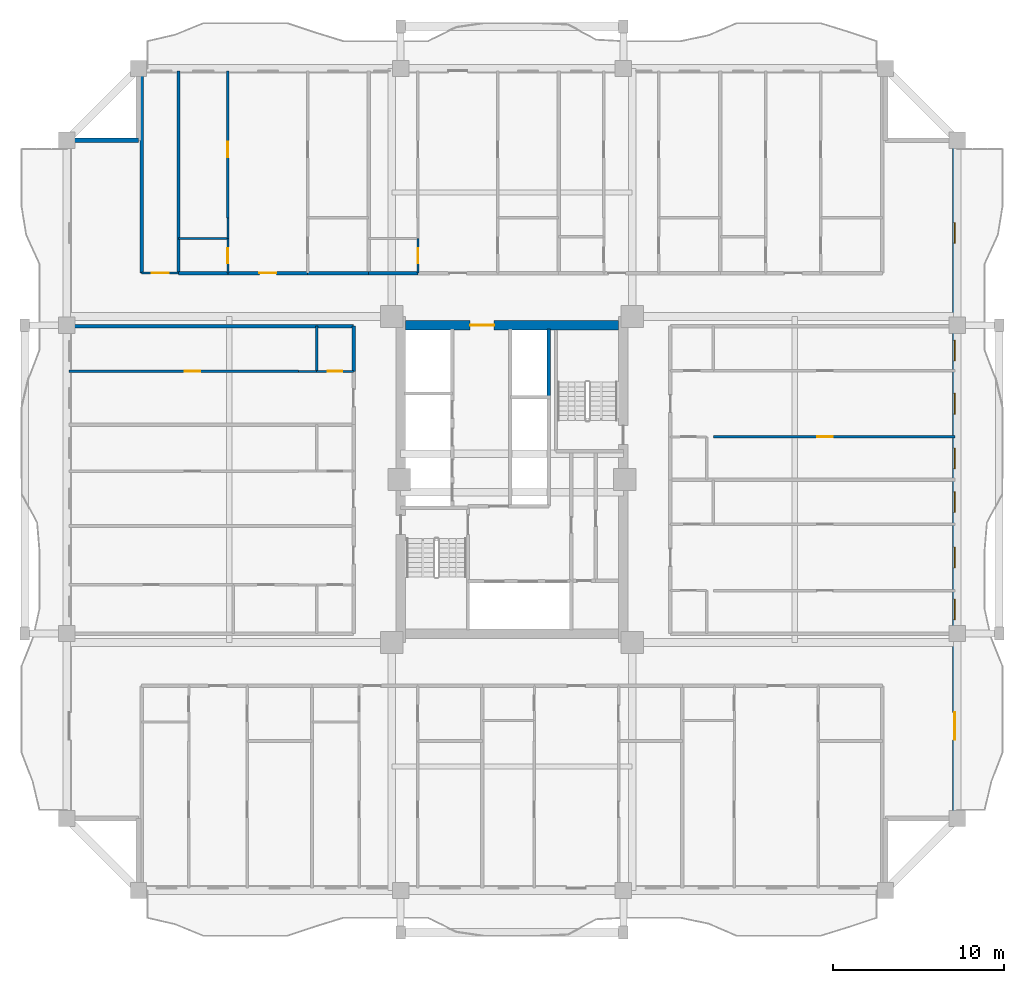
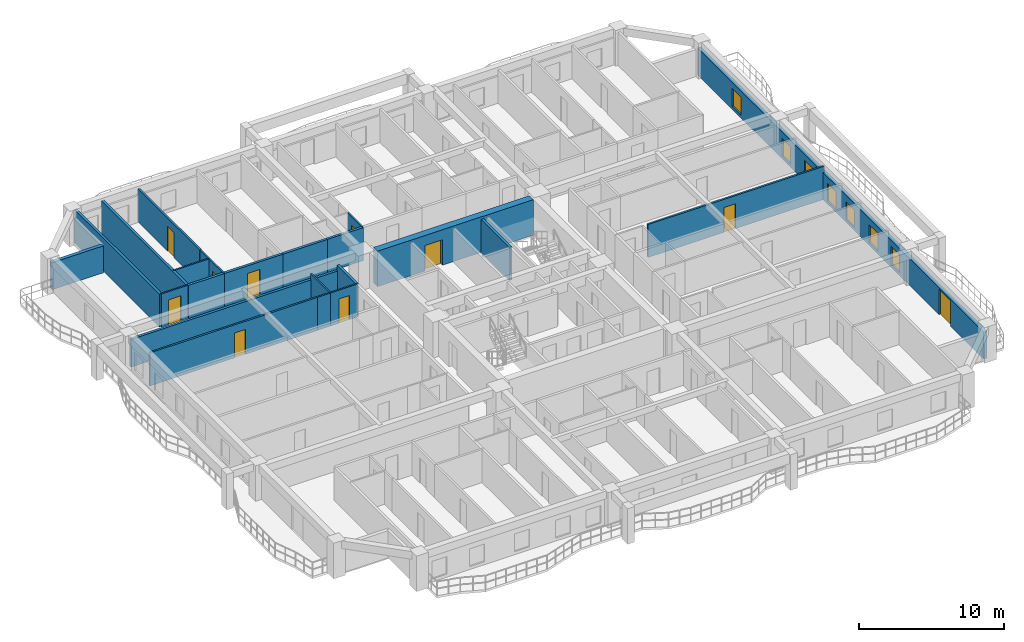
# One storey, part 6 of 14: 23 walls, 10 doors, 7 windows, 17 openings.
"""IFC4 building model written with IfcOpenShell, lengths in metres."""

from ifc_helpers import new_model, si_unit, direction, frame, frame_2d, origin, place, context, subcontext, project, spatial, rectangle, extrude, source, transform, mapped, material, layer, layer_set, type_object, element, fill, save


model = new_model("IFC4")

# Units and contexts
model_context = context("Model", 3, precision=1e-05, world=origin(), true_north=direction((0.0, 1.0)))
body_context = subcontext(model_context, "Body", "Model", "MODEL_VIEW")
ifc_project = project(units=[si_unit("LENGTHUNIT", "METRE"), si_unit("AREAUNIT", "SQUARE_METRE"), si_unit("VOLUMEUNIT", "CUBIC_METRE"), si_unit("PLANEANGLEUNIT", "RADIAN"), si_unit("MASSUNIT", "GRAM", prefix="KILO")], contexts=[model_context])

# Site, building, storey
site_placement = place(None, origin())
site = spatial("IfcSite", under=ifc_project, at=site_placement, CompositionType="ELEMENT")
building_placement = place(site_placement, origin())
building = spatial("IfcBuilding", under=site, at=building_placement, Name="Saelheon Loggia Tower", CompositionType="ELEMENT")
storey_placement = place(building_placement, frame((0.0, 0.0, 86.85009765625)))
storey = spatial("IfcBuildingStorey", under=building, at=storey_placement, Name="L27", CompositionType="ELEMENT", Elevation=86.85009765625)

# Wall, opening, door
ifc_material_1 = material(Name="Concrete C50/60", Category="concrete")
ifc_layer_1 = layer(ifc_material_1, 0.550048828125)
ifc_layer_set_1 = layer_set([ifc_layer_1], Name="Concrete C50/60")
wall_type_1 = type_object("IfcWallType", Name="Wall_CoreShear_550", PredefinedType="SHEAR", material=ifc_layer_set_1)
wall_1_placement = place(storey_placement, frame((31.77490234375, 36.0, 0.0), z_axis=(0.0, 0.0, 1.0), x_axis=(1.0, 0.0, 0.0)))
wall_1 = element("IfcWall", 1, at=wall_1_placement, inside=storey, type_object=wall_type_1, Name="L27 Core Shear Wall North", PredefinedType="SHEAR", context=body_context, shape_type="SweptSolid", body=[
    extrude(rectangle(XDim=12.4501953125, YDim=0.550048828125, at=frame_2d((6.22509765625, 0.0))), origin(), (0.0, 0.0, 1.0), 3.0),
])
opening_1_placement = place(wall_1_placement, frame((5.1748046875, 0.0, 0.0), z_axis=(0.0, 0.0, 1.0), x_axis=(-1.0, 0.0, 0.0)))
opening_1 = element("IfcOpeningElement", 2, at=opening_1_placement, cuts=wall_1, Name="Opening D-FD2L", PredefinedType="OPENING", context=body_context, shape_type="SweptSolid", body=[
    extrude(rectangle(XDim=1.39990234375, YDim=2.14990234375, at=frame_2d((0.699951171875, 1.074951171875))), frame((0.0, 0.287109375, 0.0), z_axis=(0.0, -1.0, 0.0), x_axis=(1.0, 0.0, 0.0)), (0.0, 0.0, 1.0), 0.573974609375),
])
ifc_material_2 = material(Name="Galvanised Steel Glazed Lobby Fire Door", Category="steel")
door_type_1 = type_object("IfcDoorType", Name="Door_Fire_FD60_1400", OperationType="NOTDEFINED", PredefinedType="DOOR", material=ifc_material_2)
shared_shape_1 = source(origin(), body_context, "Body", "SweptSolid", [
    extrude(rectangle(XDim=1.39990234375, YDim=2.14990234375, at=frame_2d((0.699951171875, 1.074951171875))), frame((0.0, 0.02490234375, 0.0), z_axis=(0.0, -1.0, 0.0), x_axis=(1.0, 0.0, 0.0)), (0.0, 0.0, 1.0), 0.050048828125),
])
door_1_placement = place(opening_1_placement, origin())
door_1 = element("IfcDoor", 3, at=door_1_placement, inside=storey, type_object=door_type_1, Name="L27 Passenger Lift Lobby Main Door", OperationType="SINGLE_SWING_RIGHT", OverallHeight=2.14990234375, OverallWidth=1.39990234375, PredefinedType="DOOR", context=body_context, shape_type="MappedRepresentation", body=[
    mapped(shared_shape_1, transform((0.0, 0.0, 0.0), scale=1.0)),
])
fill(opening_1, door_1)

# Wall, openings, windows, door
ifc_material_3 = material(Name="Architectural Precast Concrete C40/50", Category="concrete")
ifc_layer_2 = layer(ifc_material_3, 0.280029296875)
ifc_layer_set_2 = layer_set([ifc_layer_2], Name="Architectural Precast Concrete C40/50")
wall_type_2 = type_object("IfcWallType", Name="Wall_Ext_Loggia_280", PredefinedType="SOLIDWALL", material=ifc_layer_set_2)
wall_2_placement = place(storey_placement, frame((63.860107421875, 7.199951171875, 0.0), z_axis=(0.0, 0.0, 1.0), x_axis=(0.0, 1.0, 0.0)))
wall_2 = element("IfcWall", 4, at=wall_2_placement, inside=storey, type_object=wall_type_2, Name="L27 East Loggia Inner Wall", PredefinedType="SOLIDWALL", context=body_context, shape_type="SweptSolid", body=[
    extrude(rectangle(XDim=39.60009765625, YDim=0.280029296875, at=frame_2d((19.800048828125, 0.0))), origin(), (0.0, 0.0, 1.0), 2.27978515625),
])
opening_2_placement = place(wall_2_placement, frame((6.2001953125, 0.0, 0.0), z_axis=(0.0, 0.0, 1.0), x_axis=(-1.0, 0.0, 0.0)))
opening_2 = element("IfcOpeningElement", 5, at=opening_2_placement, cuts=wall_2, Name="Opening DLG-1", PredefinedType="OPENING", context=body_context, shape_type="SweptSolid", body=[
    extrude(rectangle(XDim=1.60009765625, YDim=2.14990234375, at=frame_2d((0.800048828125, 1.074951171875))), frame((0.0, 0.152099609375, 0.0), z_axis=(0.0, -1.0, 0.0), x_axis=(1.0, 0.0, 0.0)), (0.0, 0.0, 1.0), 0.303955078125),
])
opening_3_placement = place(wall_2_placement, frame((11.614013671875, 0.0, 0.25)))
opening_3 = element("IfcOpeningElement", 6, at=opening_3_placement, cuts=wall_2, Name="Opening WN-03", PredefinedType="OPENING", context=body_context, shape_type="SweptSolid", body=[
    extrude(rectangle(XDim=1.199951171875, YDim=1.5, at=frame_2d((0.60009765625, 0.75))), frame((0.0, 0.152099609375, 0.0), z_axis=(0.0, -1.0, 0.0), x_axis=(1.0, 0.0, 0.0)), (0.0, 0.0, 1.0), 0.303955078125),
])
opening_4_placement = place(wall_2_placement, frame((14.64404296875, 0.0, 0.25)))
opening_4 = element("IfcOpeningElement", 7, at=opening_4_placement, cuts=wall_2, Name="Opening WN-03", PredefinedType="OPENING", context=body_context, shape_type="SweptSolid", body=[
    extrude(rectangle(XDim=1.199951171875, YDim=1.5, at=frame_2d((0.60009765625, 0.75))), frame((0.0, 0.152099609375, 0.0), z_axis=(0.0, -1.0, 0.0), x_axis=(1.0, 0.0, 0.0)), (0.0, 0.0, 1.0), 0.303955078125),
])
opening_5_placement = place(wall_2_placement, frame((17.875, 0.0, 0.25)))
opening_5 = element("IfcOpeningElement", 8, at=opening_5_placement, cuts=wall_2, Name="Opening WN-03", PredefinedType="OPENING", context=body_context, shape_type="SweptSolid", body=[
    extrude(rectangle(XDim=1.199951171875, YDim=1.5, at=frame_2d((0.60009765625, 0.75))), frame((0.0, 0.152099609375, 0.0), z_axis=(0.0, -1.0, 0.0), x_axis=(1.0, 0.0, 0.0)), (0.0, 0.0, 1.0), 0.303955078125),
])
opening_6_placement = place(wall_2_placement, frame((20.431396484375, 0.0, 0.25)))
opening_6 = element("IfcOpeningElement", 9, at=opening_6_placement, cuts=wall_2, Name="Opening WN-03", PredefinedType="OPENING", context=body_context, shape_type="SweptSolid", body=[
    extrude(rectangle(XDim=1.199951171875, YDim=1.5, at=frame_2d((0.60009765625, 0.75))), frame((0.0, 0.152099609375, 0.0), z_axis=(0.0, -1.0, 0.0), x_axis=(1.0, 0.0, 0.0)), (0.0, 0.0, 1.0), 0.303955078125),
])
opening_7_placement = place(wall_2_placement, frame((23.618896484375, 0.0, 0.25)))
opening_7 = element("IfcOpeningElement", 10, at=opening_7_placement, cuts=wall_2, Name="Opening WN-03", PredefinedType="OPENING", context=body_context, shape_type="SweptSolid", body=[
    extrude(rectangle(XDim=1.199951171875, YDim=1.5, at=frame_2d((0.60009765625, 0.75))), frame((0.0, 0.152099609375, 0.0), z_axis=(0.0, -1.0, 0.0), x_axis=(1.0, 0.0, 0.0)), (0.0, 0.0, 1.0), 0.303955078125),
])
opening_8_placement = place(wall_2_placement, frame((26.717529296875, 0.0, 0.25)))
opening_8 = element("IfcOpeningElement", 11, at=opening_8_placement, cuts=wall_2, Name="Opening WN-03", PredefinedType="OPENING", context=body_context, shape_type="SweptSolid", body=[
    extrude(rectangle(XDim=1.199951171875, YDim=1.5, at=frame_2d((0.60009765625, 0.75))), frame((0.0, 0.152099609375, 0.0), z_axis=(0.0, -1.0, 0.0), x_axis=(1.0, 0.0, 0.0)), (0.0, 0.0, 1.0), 0.303955078125),
])
opening_9_placement = place(wall_2_placement, frame((33.60009765625, 0.0, 0.25)))
opening_9 = element("IfcOpeningElement", 12, at=opening_9_placement, cuts=wall_2, Name="Opening WN-03", PredefinedType="OPENING", context=body_context, shape_type="SweptSolid", body=[
    extrude(rectangle(XDim=1.199951171875, YDim=1.5, at=frame_2d((0.60009765625, 0.75))), frame((0.0, 0.152099609375, 0.0), z_axis=(0.0, -1.0, 0.0), x_axis=(1.0, 0.0, 0.0)), (0.0, 0.0, 1.0), 0.303955078125),
])
ifc_material_4 = material(Name="Thermal-Break Aluminium and Triple Low-E Glass", Category="aluminium")
window_type = type_object("IfcWindowType", Name="Win_Bedroom_1200x1500", PartitioningType="SINGLE_PANEL", PredefinedType="WINDOW", material=ifc_material_4)
shared_shape_2 = source(origin(), body_context, "Body", "SweptSolid", [
    extrude(rectangle(XDim=1.199951171875, YDim=1.5, at=frame_2d((0.60009765625, 0.75))), frame((0.0, 0.030029296875, 0.0), z_axis=(0.0, -1.0, 0.0), x_axis=(1.0, 0.0, 0.0)), (0.0, 0.0, 1.0), 0.06005859375),
])
window_1_placement = place(opening_3_placement, origin())
window_1 = element("IfcWindow", 13, at=window_1_placement, inside=storey, type_object=window_type, Name="L27 E Dwelling Window 2", OverallHeight=1.5, OverallWidth=1.199951171875, PartitioningType="SINGLE_PANEL", PredefinedType="WINDOW", context=body_context, shape_type="MappedRepresentation", body=[
    mapped(shared_shape_2, transform((0.0, 0.0, 0.0), scale=1.0)),
])
fill(opening_3, window_1)
window_2_placement = place(opening_4_placement, origin())
window_2 = element("IfcWindow", 14, at=window_2_placement, inside=storey, type_object=window_type, Name="L27 E Dwelling Window 3", OverallHeight=1.5, OverallWidth=1.199951171875, PartitioningType="SINGLE_PANEL", PredefinedType="WINDOW", context=body_context, shape_type="MappedRepresentation", body=[
    mapped(shared_shape_2, transform((0.0, 0.0, 0.0), scale=1.0)),
])
fill(opening_4, window_2)
window_3_placement = place(opening_5_placement, origin())
window_3 = element("IfcWindow", 15, at=window_3_placement, inside=storey, type_object=window_type, Name="L27 E Dwelling Window 4", OverallHeight=1.5, OverallWidth=1.199951171875, PartitioningType="SINGLE_PANEL", PredefinedType="WINDOW", context=body_context, shape_type="MappedRepresentation", body=[
    mapped(shared_shape_2, transform((0.0, 0.0, 0.0), scale=1.0)),
])
fill(opening_5, window_3)
window_4_placement = place(opening_6_placement, origin())
window_4 = element("IfcWindow", 16, at=window_4_placement, inside=storey, type_object=window_type, Name="L27 E Dwelling Window 5", OverallHeight=1.5, OverallWidth=1.199951171875, PartitioningType="SINGLE_PANEL", PredefinedType="WINDOW", context=body_context, shape_type="MappedRepresentation", body=[
    mapped(shared_shape_2, transform((0.0, 0.0, 0.0), scale=1.0)),
])
fill(opening_6, window_4)
window_5_placement = place(opening_7_placement, origin())
window_5 = element("IfcWindow", 17, at=window_5_placement, inside=storey, type_object=window_type, Name="L27 E Dwelling Window 6", OverallHeight=1.5, OverallWidth=1.199951171875, PartitioningType="SINGLE_PANEL", PredefinedType="WINDOW", context=body_context, shape_type="MappedRepresentation", body=[
    mapped(shared_shape_2, transform((0.0, 0.0, 0.0), scale=1.0)),
])
fill(opening_7, window_5)
window_6_placement = place(opening_8_placement, origin())
window_6 = element("IfcWindow", 18, at=window_6_placement, inside=storey, type_object=window_type, Name="L27 E Dwelling Window 7", OverallHeight=1.5, OverallWidth=1.199951171875, PartitioningType="SINGLE_PANEL", PredefinedType="WINDOW", context=body_context, shape_type="MappedRepresentation", body=[
    mapped(shared_shape_2, transform((0.0, 0.0, 0.0), scale=1.0)),
])
fill(opening_8, window_6)
window_7_placement = place(opening_9_placement, origin())
window_7 = element("IfcWindow", 19, at=window_7_placement, inside=storey, type_object=window_type, Name="L27 E Dwelling Window 8", OverallHeight=1.5, OverallWidth=1.199951171875, PartitioningType="SINGLE_PANEL", PredefinedType="WINDOW", context=body_context, shape_type="MappedRepresentation", body=[
    mapped(shared_shape_2, transform((0.0, 0.0, 0.0), scale=1.0)),
])
fill(opening_9, window_7)
ifc_material_5 = material(Name="Thermal-Break Aluminium Sliding Glazed Door", Category="aluminium")
door_type_2 = type_object("IfcDoorType", Name="Door_LoggiaSlide_1600", OperationType="SLIDING_TO_LEFT", PredefinedType="DOOR", material=ifc_material_5)
shared_shape_3 = source(origin(), body_context, "Body", "SweptSolid", [
    extrude(rectangle(XDim=1.60009765625, YDim=2.14990234375, at=frame_2d((0.800048828125, 1.074951171875))), frame((0.0, 0.02490234375, 0.0), z_axis=(0.0, -1.0, 0.0), x_axis=(1.0, 0.0, 0.0)), (0.0, 0.0, 1.0), 0.050048828125),
])
door_2_placement = place(opening_2_placement, origin())
door_2 = element("IfcDoor", 20, at=door_2_placement, inside=storey, type_object=door_type_2, Name="L27 E Loggia Access Door", OperationType="SLIDING_TO_LEFT", OverallHeight=2.14990234375, OverallWidth=1.60009765625, PredefinedType="DOOR", context=body_context, shape_type="MappedRepresentation", body=[
    mapped(shared_shape_3, transform((0.0, 0.0, 0.0), scale=1.0)),
])
fill(opening_2, door_2)

# Wall
wall_3_placement = place(storey_placement, frame((12.080078125, 46.800048828125, 0.0), z_axis=(0.0, 0.0, 1.0), x_axis=(1.0, 0.0, 0.0)))
element("IfcWall", 21, at=wall_3_placement, inside=storey, type_object=wall_type_2, Name="L27 Corner Notch Precast Wall NW2", PredefinedType="SOLIDWALL", context=body_context, shape_type="SweptSolid", body=[
    extrude(rectangle(XDim=4.119873046875, YDim=0.280029296875, at=frame_2d((2.06005859375, 0.0))), origin(), (0.0, 0.0, 1.0), 2.27978515625),
])

# Wall, opening, door
ifc_material_6 = material(Name="Lightweight Autoclaved Aerated Concrete Block and Acoustic Gypsum", Category="concrete")
ifc_layer_3 = layer(ifc_material_6, 0.14990234375)
ifc_layer_set_3 = layer_set([ifc_layer_3], Name="Lightweight Autoclaved Aerated Concrete Block and Acoustic Gypsum")
wall_type_3 = type_object("IfcWallType", Name="Wall_Part_150", PredefinedType="PARTITIONING", material=ifc_layer_set_3)
wall_4_placement = place(storey_placement, frame((21.41455078125, 42.27001953125, 0.0), z_axis=(0.0, 0.0, 1.0), x_axis=(0.0, 1.0, 0.0)))
wall_4 = element("IfcWall", 22, at=wall_4_placement, inside=storey, type_object=wall_type_3, Name="L27 N Partition U12", PredefinedType="PARTITIONING", context=body_context, shape_type="SweptSolid", body=[
    extrude(rectangle(XDim=8.580078125, YDim=0.14990234375, at=frame_2d((4.2900390625, 0.0))), origin(), (0.0, 0.0, 1.0), 2.789794921875),
])
opening_10_placement = place(wall_4_placement, frame((3.5400390625, 0.0, 0.0)))
opening_10 = element("IfcOpeningElement", 23, at=opening_10_placement, cuts=wall_4, Name="Opening D-IN2", PredefinedType="OPENING", context=body_context, shape_type="SweptSolid", body=[
    extrude(rectangle(XDim=0.89990234375, YDim=2.10009765625, at=frame_2d((0.449951171875, 1.050048828125))), frame((0.0, 0.0869140625, 0.0), z_axis=(0.0, -1.0, 0.0), x_axis=(1.0, 0.0, 0.0)), (0.0, 0.0, 1.0), 0.173828125),
])
ifc_material_7 = material(Name="Engineered Oak Flush Door", Category="timber")
door_type_3 = type_object("IfcDoorType", Name="Door_Int_900", OperationType="NOTDEFINED", PredefinedType="DOOR", material=ifc_material_7)
shared_shape_4 = source(origin(), body_context, "Body", "SweptSolid", [
    extrude(rectangle(XDim=0.89990234375, YDim=2.10009765625, at=frame_2d((0.449951171875, 1.050048828125))), frame((0.0, 0.02490234375, 0.0), z_axis=(0.0, -1.0, 0.0), x_axis=(1.0, 0.0, 0.0)), (0.0, 0.0, 1.0), 0.050048828125),
])
door_3_placement = place(opening_10_placement, origin())
door_3 = element("IfcDoor", 24, at=door_3_placement, inside=storey, type_object=door_type_3, Name="Unit U05 Bedroom 2 Door", OperationType="SINGLE_SWING_RIGHT", OverallHeight=2.10009765625, OverallWidth=0.89990234375, PredefinedType="DOOR", context=body_context, shape_type="MappedRepresentation", body=[
    mapped(shared_shape_4, transform((0.0, 0.0, 0.0), scale=1.0)),
])
fill(opening_10, door_3)

wall_5_placement = place(storey_placement, frame((25.530029296875, 33.307861328125, 0.0), z_axis=(0.0, 0.0, 1.0), x_axis=(-1.0, 0.0, 0.0)))
wall_5 = element("IfcWall", 25, at=wall_5_placement, inside=storey, type_object=wall_type_3, Name="L27 W Partition U24", PredefinedType="PARTITIONING", context=body_context, shape_type="SweptSolid", body=[
    extrude(rectangle(XDim=13.380126953125, YDim=0.14990234375, at=frame_2d((6.68994140625, 0.0))), origin(), (0.0, 0.0, 1.0), 2.789794921875),
])
opening_11_placement = place(wall_5_placement, frame((5.739990234375, 0.0, 0.0)))
opening_11 = element("IfcOpeningElement", 26, at=opening_11_placement, cuts=wall_5, Name="Opening D-IN2", PredefinedType="OPENING", context=body_context, shape_type="SweptSolid", body=[
    extrude(rectangle(XDim=0.89990234375, YDim=2.10009765625, at=frame_2d((0.449951171875, 1.050048828125))), frame((0.0, 0.0869140625, 0.0), z_axis=(0.0, -1.0, 0.0), x_axis=(1.0, 0.0, 0.0)), (0.0, 0.0, 1.0), 0.173828125),
])
door_4_placement = place(opening_11_placement, origin())
door_4 = element("IfcDoor", 27, at=door_4_placement, inside=storey, type_object=door_type_3, Name="Unit U11 Kitchen Door", OperationType="SINGLE_SWING_LEFT", OverallHeight=2.10009765625, OverallWidth=0.89990234375, PredefinedType="DOOR", context=body_context, shape_type="MappedRepresentation", body=[
    mapped(shared_shape_4, transform((0.0, 0.0, 0.0), scale=1.0)),
])
fill(opening_11, door_4)

wall_6_placement = place(storey_placement, frame((49.75, 29.488037109375, 0.0), z_axis=(0.0, 0.0, 1.0), x_axis=(1.0, 0.0, 0.0)))
wall_6 = element("IfcWall", 28, at=wall_6_placement, inside=storey, type_object=wall_type_3, Name="L27 E Partition U19", PredefinedType="PARTITIONING", context=body_context, shape_type="SweptSolid", body=[
    extrude(rectangle(XDim=14.10009765625, YDim=0.14990234375, at=frame_2d((7.050048828125, 0.0))), origin(), (0.0, 0.0, 1.0), 2.789794921875),
])
opening_12_placement = place(wall_6_placement, frame((6.070068359375, 0.0, 0.0)))
opening_12 = element("IfcOpeningElement", 29, at=opening_12_placement, cuts=wall_6, Name="Opening D-IN2", PredefinedType="OPENING", context=body_context, shape_type="SweptSolid", body=[
    extrude(rectangle(XDim=0.89990234375, YDim=2.10009765625, at=frame_2d((0.449951171875, 1.050048828125))), frame((0.0, 0.0869140625, 0.0), z_axis=(0.0, -1.0, 0.0), x_axis=(1.0, 0.0, 0.0)), (0.0, 0.0, 1.0), 0.173828125),
])
door_5_placement = place(opening_12_placement, origin())
door_5 = element("IfcDoor", 30, at=door_5_placement, inside=storey, type_object=door_type_3, Name="Unit U13 Kitchen Door", OperationType="SINGLE_SWING_LEFT", OverallHeight=2.10009765625, OverallWidth=0.89990234375, PredefinedType="DOOR", context=body_context, shape_type="MappedRepresentation", body=[
    mapped(shared_shape_4, transform((0.0, 0.0, 0.0), scale=1.0)),
])
fill(opening_12, door_5)

# Walls
ifc_material_8 = material(Name="Double Acoustic Stud and Fireboard Partition", Category="gypsum")
ifc_layer_4 = layer(ifc_material_8, 0.199951171875)
ifc_layer_set_4 = layer_set([ifc_layer_4], Name="Double Acoustic Stud and Fireboard Partition")
wall_type_4 = type_object("IfcWallType", Name="Wall_Party_200", PredefinedType="PARTITIONING", material=ifc_layer_set_4)
for number, where, z_axis, x_axis, name in (
    (31, (16.3798828125, 39.050048828125, 0.0), (0.0, 0.0, 1.0), (0.0, 1.0, 0.0), "L27 N Partition U01"),
    (32, (18.530029296875, 39.050048828125, 0.0), (0.0, 0.0, 1.0), (0.0, 1.0, 0.0), "L27 N Partition U03"),
):
    element("IfcWall", number, at=place(storey_placement, frame(where, z_axis=z_axis, x_axis=x_axis)), inside=storey, type_object=wall_type_4, Name=name, PredefinedType="PARTITIONING", context=body_context, shape_type="SweptSolid", body=[
        extrude(rectangle(XDim=11.800048828125, YDim=0.199951171875, at=frame_2d((5.89990234375, 0.0))), origin(), (0.0, 0.0, 1.0), 2.789794921875),
    ])
wall_7_placement = place(storey_placement, frame((18.530029296875, 39.050048828125, 0.0), z_axis=(0.0, 0.0, 1.0), x_axis=(1.0, 0.0, 0.0)))
element("IfcWall", 33, at=wall_7_placement, inside=storey, type_object=wall_type_4, Name="L27 N Partition V05", PredefinedType="PARTITIONING", context=body_context, shape_type="SweptSolid", body=[
    extrude(rectangle(XDim=2.884521484375, YDim=0.199951171875, at=frame_2d((1.4423828125, 0.0))), origin(), (0.0, 0.0, 1.0), 2.789794921875),
])

# Wall, opening, door
wall_8_placement = place(storey_placement, frame((21.41455078125, 39.050048828125, 0.0), z_axis=(0.0, 0.0, 1.0), x_axis=(1.0, 0.0, 0.0)))
wall_8 = element("IfcWall", 34, at=wall_8_placement, inside=storey, type_object=wall_type_4, Name="L27 N Partition V06", PredefinedType="PARTITIONING", context=body_context, shape_type="SweptSolid", body=[
    extrude(rectangle(XDim=4.65966796875, YDim=0.199951171875, at=frame_2d((2.329833984375, 0.0))), origin(), (0.0, 0.0, 1.0), 2.789794921875),
])
opening_13_placement = place(wall_8_placement, frame((1.829833984375, 0.0, 0.0)))
opening_13 = element("IfcOpeningElement", 35, at=opening_13_placement, cuts=wall_8, Name="Opening D-FD1", PredefinedType="OPENING", context=body_context, shape_type="SweptSolid", body=[
    extrude(rectangle(XDim=1.0, YDim=2.14990234375, at=frame_2d((0.5, 1.074951171875))), frame((0.0, 0.112060546875, 0.0), z_axis=(0.0, -1.0, 0.0), x_axis=(1.0, 0.0, 0.0)), (0.0, 0.0, 1.0), 0.223876953125),
])
ifc_material_9 = material(Name="Fire-Rated Engineered Timber Entrance Door", Category="wood")
door_type_4 = type_object("IfcDoorType", Name="Door_Flat_FD30S", OperationType="NOTDEFINED", PredefinedType="DOOR", material=ifc_material_9)
shared_shape_5 = source(origin(), body_context, "Body", "SweptSolid", [
    extrude(rectangle(XDim=1.0, YDim=2.14990234375, at=frame_2d((0.5, 1.074951171875))), frame((0.0, 0.02490234375, 0.0), z_axis=(0.0, -1.0, 0.0), x_axis=(1.0, 0.0, 0.0)), (0.0, 0.0, 1.0), 0.050048828125),
])
door_6_placement = place(opening_13_placement, origin())
door_6 = element("IfcDoor", 36, at=door_6_placement, inside=storey, type_object=door_type_4, Name="Unit U05 Entrance Door", OperationType="SINGLE_SWING_RIGHT", OverallHeight=2.14990234375, OverallWidth=1.0, PredefinedType="DOOR", context=body_context, shape_type="MappedRepresentation", body=[
    mapped(shared_shape_5, transform((0.0, 0.0, 0.0), scale=1.0)),
])
fill(opening_13, door_6)

# Walls
wall_9_placement = place(storey_placement, frame((26.07421875, 39.050048828125, 0.0), z_axis=(0.0, 0.0, 1.0), x_axis=(1.0, 0.0, 0.0)))
element("IfcWall", 37, at=wall_9_placement, inside=storey, type_object=wall_type_4, Name="L27 N Partition V07", PredefinedType="PARTITIONING", context=body_context, shape_type="SweptSolid", body=[
    extrude(rectangle(XDim=3.550048828125, YDim=0.199951171875, at=frame_2d((1.77490234375, 0.0))), origin(), (0.0, 0.0, 1.0), 2.789794921875),
])
wall_10_placement = place(storey_placement, frame((29.624267578125, 39.050048828125, 0.0), z_axis=(0.0, 0.0, 1.0), x_axis=(1.0, 0.0, 0.0)))
element("IfcWall", 38, at=wall_10_placement, inside=storey, type_object=wall_type_4, Name="L27 N Partition V16", PredefinedType="PARTITIONING", context=body_context, shape_type="SweptSolid", body=[
    extrude(rectangle(XDim=2.884521484375, YDim=0.199951171875, at=frame_2d((1.4423828125, 0.0))), origin(), (0.0, 0.0, 1.0), 2.789794921875),
])
wall_11_placement = place(storey_placement, frame((28.75, 35.949951171875, 0.0), z_axis=(0.0, 0.0, 1.0), x_axis=(-1.0, 0.0, 0.0)))
element("IfcWall", 39, at=wall_11_placement, inside=storey, type_object=wall_type_4, Name="L27 W Partition U02", PredefinedType="PARTITIONING", context=body_context, shape_type="SweptSolid", body=[
    extrude(rectangle(XDim=16.60009765625, YDim=0.199951171875, at=frame_2d((8.300048828125, 0.0))), origin(), (0.0, 0.0, 1.0), 2.33984375),
])
wall_12_placement = place(storey_placement, frame((28.75, 33.307861328125, 0.0), z_axis=(0.0, 0.0, 1.0), x_axis=(0.0, 1.0, 0.0)))
element("IfcWall", 40, at=wall_12_placement, inside=storey, type_object=wall_type_4, Name="L27 W Partition V20", PredefinedType="PARTITIONING", context=body_context, shape_type="SweptSolid", body=[
    extrude(rectangle(XDim=2.64208984375, YDim=0.199951171875, at=frame_2d((1.321044921875, 0.0))), origin(), (0.0, 0.0, 1.0), 2.789794921875),
])
ifc_material_10 = material(Name="Concrete C40/50", Category="concrete")
ifc_layer_5 = layer(ifc_material_10, 0.199951171875)
ifc_layer_set_5 = layer_set([ifc_layer_5], Name="Concrete C40/50")
wall_type_5 = type_object("IfcWallType", Name="Wall_Shaft_200", PredefinedType="PARTITIONING", material=ifc_layer_set_5)
wall_13_placement = place(storey_placement, frame((40.14990234375, 31.800048828125, 0.0), z_axis=(0.0, 0.0, 1.0), x_axis=(0.0, 1.0, 0.0)))
element("IfcWall", 41, at=wall_13_placement, inside=storey, type_object=wall_type_5, Name="L27 East High-Rise Hoistway East Wall", PredefinedType="PARTITIONING", context=body_context, shape_type="SweptSolid", body=[
    extrude(rectangle(XDim=3.97998046875, YDim=0.199951171875, at=frame_2d((1.989990234375, 0.0))), origin(), (0.0, 0.0, 1.0), 2.789794921875),
])

# Wall, opening, door
ifc_material_11 = material(Name="Moisture-Resistant Cement Board Partition", Category="gypsum")
ifc_layer_6 = layer(ifc_material_11, 0.1201171875)
ifc_layer_set_6 = layer_set([ifc_layer_6], Name="Moisture-Resistant Cement Board Partition")
wall_type_6 = type_object("IfcWallType", Name="Wall_WetPart_120", PredefinedType="PARTITIONING", material=ifc_layer_set_6)
wall_14_placement = place(storey_placement, frame((16.3798828125, 39.050048828125, 0.0), z_axis=(0.0, 0.0, 1.0), x_axis=(1.0, 0.0, 0.0)))
wall_14 = element("IfcWall", 42, at=wall_14_placement, inside=storey, type_object=wall_type_6, Name="L27 N Partition V04", PredefinedType="PARTITIONING", context=body_context, shape_type="SweptSolid", body=[
    extrude(rectangle(XDim=2.150146484375, YDim=0.1201171875, at=frame_2d((1.0751953125, 0.0))), origin(), (0.0, 0.0, 1.0), 2.789794921875),
])
opening_14_placement = place(wall_14_placement, frame((0.574951171875, 0.0, 0.0)))
opening_14 = element("IfcOpeningElement", 43, at=opening_14_placement, cuts=wall_14, Name="Opening D-AC1", PredefinedType="OPENING", context=body_context, shape_type="SweptSolid", body=[
    extrude(rectangle(XDim=1.0, YDim=2.10009765625, at=frame_2d((0.5, 1.050048828125))), frame((0.0, 0.072021484375, 0.0), z_axis=(0.0, -1.0, 0.0), x_axis=(1.0, 0.0, 0.0)), (0.0, 0.0, 1.0), 0.14404296875),
])
ifc_material_12 = material(Name="Accessible Laminate Flush Door", Category="timber")
door_type_5 = type_object("IfcDoorType", Name="Door_Acc_1000", OperationType="NOTDEFINED", PredefinedType="DOOR", material=ifc_material_12)
shared_shape_6 = source(origin(), body_context, "Body", "SweptSolid", [
    extrude(rectangle(XDim=1.0, YDim=2.10009765625, at=frame_2d((0.5, 1.050048828125))), frame((0.0, 0.02490234375, 0.0), z_axis=(0.0, -1.0, 0.0), x_axis=(1.0, 0.0, 0.0)), (0.0, 0.0, 1.0), 0.050048828125),
])
door_7_placement = place(opening_14_placement, origin())
door_7 = element("IfcDoor", 44, at=door_7_placement, inside=storey, type_object=door_type_5, Name="L27 Floor Accessible WC Door", OperationType="SINGLE_SWING_LEFT", OverallHeight=2.10009765625, OverallWidth=1.0, PredefinedType="DOOR", context=body_context, shape_type="MappedRepresentation", body=[
    mapped(shared_shape_6, transform((0.0, 0.0, 0.0), scale=1.0)),
])
fill(opening_14, door_7)

# Wall
wall_15_placement = place(storey_placement, frame((18.530029296875, 41.070068359375, 0.0), z_axis=(0.0, 0.0, 1.0), x_axis=(1.0, 0.0, 0.0)))
element("IfcWall", 45, at=wall_15_placement, inside=storey, type_object=wall_type_6, Name="L27 N Partition V08", PredefinedType="PARTITIONING", context=body_context, shape_type="SweptSolid", body=[
    extrude(rectangle(XDim=2.884521484375, YDim=0.1201171875, at=frame_2d((1.4423828125, 0.0))), origin(), (0.0, 0.0, 1.0), 2.789794921875),
])

# Wall, opening, door
wall_16_placement = place(storey_placement, frame((21.41455078125, 39.050048828125, 0.0), z_axis=(0.0, 0.0, 1.0), x_axis=(0.0, 1.0, 0.0)))
wall_16 = element("IfcWall", 46, at=wall_16_placement, inside=storey, type_object=wall_type_6, Name="L27 N Partition U10", PredefinedType="PARTITIONING", context=body_context, shape_type="SweptSolid", body=[
    extrude(rectangle(XDim=2.02001953125, YDim=0.1201171875, at=frame_2d((1.010009765625, 0.0))), origin(), (0.0, 0.0, 1.0), 2.789794921875),
])
opening_15_placement = place(wall_16_placement, frame((0.5849609375, 0.0, 0.0)))
opening_15 = element("IfcOpeningElement", 47, at=opening_15_placement, cuts=wall_16, Name="Opening D-BT1", PredefinedType="OPENING", context=body_context, shape_type="SweptSolid", body=[
    extrude(rectangle(XDim=0.85009765625, YDim=2.050048828125, at=frame_2d((0.425048828125, 1.02490234375))), frame((0.0, 0.072021484375, 0.0), z_axis=(0.0, -1.0, 0.0), x_axis=(1.0, 0.0, 0.0)), (0.0, 0.0, 1.0), 0.14404296875),
])
ifc_material_13 = material(Name="Moisture-Resistant Laminate Timber Door", Category="wood")
door_type_6 = type_object("IfcDoorType", Name="Door_Bath_850", OperationType="NOTDEFINED", PredefinedType="DOOR", material=ifc_material_13)
shared_shape_7 = source(origin(), body_context, "Body", "SweptSolid", [
    extrude(rectangle(XDim=0.85009765625, YDim=2.050048828125, at=frame_2d((0.425048828125, 1.02490234375))), frame((0.0, 0.02490234375, 0.0), z_axis=(0.0, -1.0, 0.0), x_axis=(1.0, 0.0, 0.0)), (0.0, 0.0, 1.0), 0.050048828125),
])
door_8_placement = place(opening_15_placement, origin())
door_8 = element("IfcDoor", 48, at=door_8_placement, inside=storey, type_object=door_type_6, Name="Unit U05 Bathroom Door", OperationType="SINGLE_SWING_LEFT", OverallHeight=2.050048828125, OverallWidth=0.85009765625, PredefinedType="DOOR", context=body_context, shape_type="MappedRepresentation", body=[
    mapped(shared_shape_7, transform((0.0, 0.0, 0.0), scale=1.0)),
])
fill(opening_15, door_8)

# Wall
wall_17_placement = place(storey_placement, frame((21.41455078125, 41.070068359375, 0.0), z_axis=(0.0, 0.0, 1.0), x_axis=(0.0, 1.0, 0.0)))
element("IfcWall", 49, at=wall_17_placement, inside=storey, type_object=wall_type_6, Name="L27 N Partition U11", PredefinedType="PARTITIONING", context=body_context, shape_type="SweptSolid", body=[
    extrude(rectangle(XDim=1.199951171875, YDim=0.1201171875, at=frame_2d((0.60009765625, 0.0))), origin(), (0.0, 0.0, 1.0), 2.789794921875),
])

# Wall, opening, door
wall_18_placement = place(storey_placement, frame((32.5087890625, 39.050048828125, 0.0), z_axis=(0.0, 0.0, 1.0), x_axis=(0.0, 1.0, 0.0)))
wall_18 = element("IfcWall", 50, at=wall_18_placement, inside=storey, type_object=wall_type_6, Name="L27 N Partition U21", PredefinedType="PARTITIONING", context=body_context, shape_type="SweptSolid", body=[
    extrude(rectangle(XDim=2.02001953125, YDim=0.1201171875, at=frame_2d((1.010009765625, 0.0))), origin(), (0.0, 0.0, 1.0), 2.789794921875),
])
opening_16_placement = place(wall_18_placement, frame((0.5849609375, 0.0, 0.0)))
opening_16 = element("IfcOpeningElement", 51, at=opening_16_placement, cuts=wall_18, Name="Opening D-BT1", PredefinedType="OPENING", context=body_context, shape_type="SweptSolid", body=[
    extrude(rectangle(XDim=0.85009765625, YDim=2.050048828125, at=frame_2d((0.425048828125, 1.02490234375))), frame((0.0, 0.072021484375, 0.0), z_axis=(0.0, -1.0, 0.0), x_axis=(1.0, 0.0, 0.0)), (0.0, 0.0, 1.0), 0.14404296875),
])
door_9_placement = place(opening_16_placement, origin())
door_9 = element("IfcDoor", 52, at=door_9_placement, inside=storey, type_object=door_type_6, Name="Unit U06 Bathroom Door", OperationType="SINGLE_SWING_RIGHT", OverallHeight=2.050048828125, OverallWidth=0.85009765625, PredefinedType="DOOR", context=body_context, shape_type="MappedRepresentation", body=[
    mapped(shared_shape_7, transform((0.0, 0.0, 0.0), scale=1.0)),
])
fill(opening_16, door_9)

wall_19_placement = place(storey_placement, frame((28.75, 33.307861328125, 0.0), z_axis=(0.0, 0.0, 1.0), x_axis=(-1.0, 0.0, 0.0)))
wall_19 = element("IfcWall", 53, at=wall_19_placement, inside=storey, type_object=wall_type_6, Name="L27 W Partition U21", PredefinedType="PARTITIONING", context=body_context, shape_type="SweptSolid", body=[
    extrude(rectangle(XDim=2.14990234375, YDim=0.1201171875, at=frame_2d((1.074951171875, 0.0))), origin(), (0.0, 0.0, 1.0), 2.789794921875),
])
opening_17_placement = place(wall_19_placement, frame((0.64990234375, 0.0, 0.0)))
opening_17 = element("IfcOpeningElement", 54, at=opening_17_placement, cuts=wall_19, Name="Opening D-BT1", PredefinedType="OPENING", context=body_context, shape_type="SweptSolid", body=[
    extrude(rectangle(XDim=0.85009765625, YDim=2.050048828125, at=frame_2d((0.425048828125, 1.02490234375))), frame((0.0, 0.072021484375, 0.0), z_axis=(0.0, -1.0, 0.0), x_axis=(1.0, 0.0, 0.0)), (0.0, 0.0, 1.0), 0.14404296875),
])
door_10_placement = place(opening_17_placement, origin())
door_10 = element("IfcDoor", 55, at=door_10_placement, inside=storey, type_object=door_type_6, Name="Unit U11 Bathroom Door", OperationType="SINGLE_SWING_RIGHT", OverallHeight=2.050048828125, OverallWidth=0.85009765625, PredefinedType="DOOR", context=body_context, shape_type="MappedRepresentation", body=[
    mapped(shared_shape_7, transform((0.0, 0.0, 0.0), scale=1.0)),
])
fill(opening_17, door_10)

# Walls
wall_20_placement = place(storey_placement, frame((26.60009765625, 33.307861328125, 0.0), z_axis=(0.0, 0.0, 1.0), x_axis=(-1.0, 0.0, 0.0)))
element("IfcWall", 56, at=wall_20_placement, inside=storey, type_object=wall_type_6, Name="L27 W Partition U22", PredefinedType="PARTITIONING", context=body_context, shape_type="SweptSolid", body=[
    extrude(rectangle(XDim=1.070068359375, YDim=0.1201171875, at=frame_2d((0.53515625, 0.0))), origin(), (0.0, 0.0, 1.0), 2.789794921875),
])
wall_21_placement = place(storey_placement, frame((26.60009765625, 33.307861328125, 0.0), z_axis=(0.0, 0.0, 1.0), x_axis=(0.0, 1.0, 0.0)))
element("IfcWall", 57, at=wall_21_placement, inside=storey, type_object=wall_type_6, Name="L27 W Partition V23", PredefinedType="PARTITIONING", context=body_context, shape_type="SweptSolid", body=[
    extrude(rectangle(XDim=2.64208984375, YDim=0.1201171875, at=frame_2d((1.321044921875, 0.0))), origin(), (0.0, 0.0, 1.0), 2.789794921875),
])

save(model, "model.ifc")
